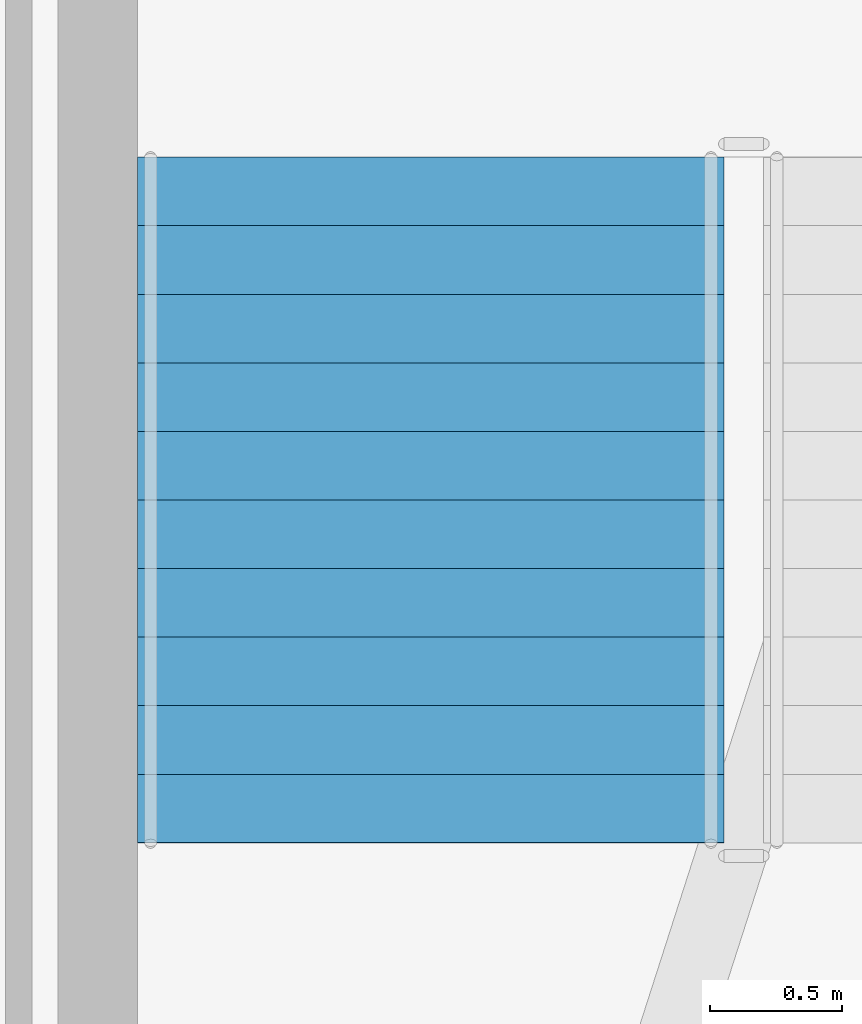
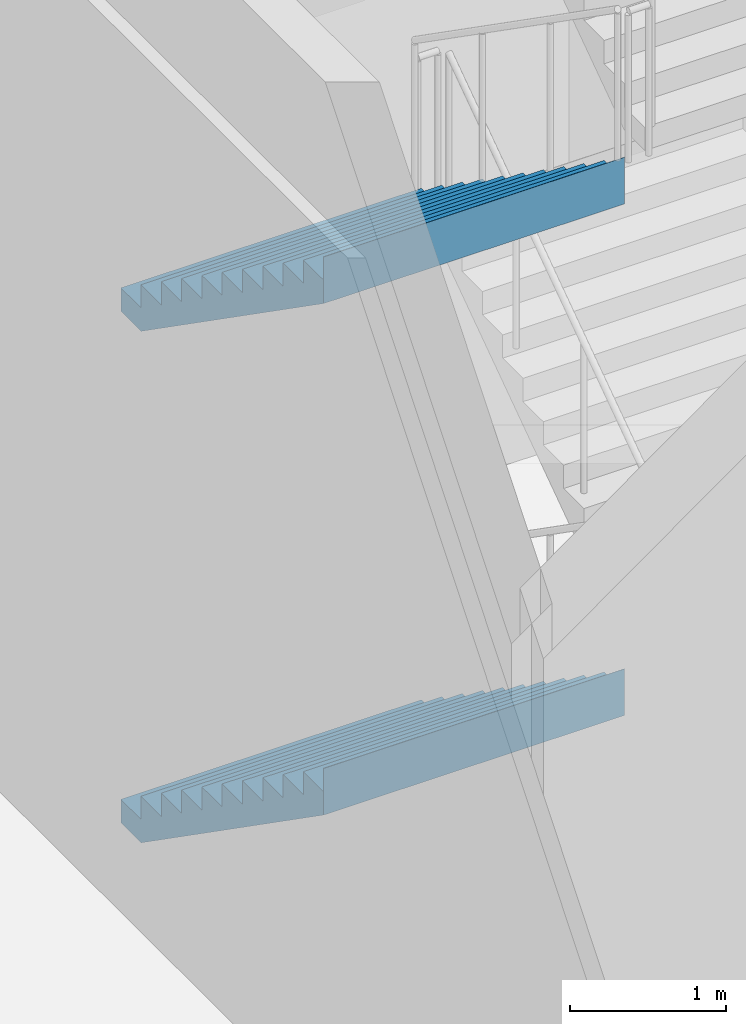
# One storey, part 21 of 36: 2 stair flights, 1 element without a shape of its own.
"""IFC4 building model written with IfcOpenShell, lengths in metres."""

from ifc_helpers import new_model, si_unit, direction, frame, origin, place, context, subcontext, project, spatial, triangles, material, type_object, element, aggregate, save


model = new_model("IFC4")

# Units and contexts
model_context = context("Model", 3, precision=1e-05, world=origin(), true_north=direction((0.0, 1.0)))
body_context = subcontext(model_context, "Body", "Model", "MODEL_VIEW")
ifc_project = project(units=[si_unit("LENGTHUNIT", "METRE"), si_unit("AREAUNIT", "SQUARE_METRE"), si_unit("VOLUMEUNIT", "CUBIC_METRE"), si_unit("PLANEANGLEUNIT", "RADIAN"), si_unit("MASSUNIT", "GRAM", prefix="KILO")], contexts=[model_context])

# Site, building, storey
site_placement = place(None, origin())
site = spatial("IfcSite", under=ifc_project, at=site_placement, CompositionType="ELEMENT")
building_placement = place(site_placement, origin())
building = spatial("IfcBuilding", under=site, at=building_placement, Name="Sahrelin Media Tower", CompositionType="ELEMENT")
storey_placement = place(building_placement, origin())
storey = spatial("IfcBuildingStorey", under=building, at=storey_placement, Name="L00", CompositionType="ELEMENT", Elevation=0.0)

# Stair, stair flights
ifc_material = material(Name="Concrete C40/50", Category="concrete")
stair_type = type_object("IfcStairType", Name="Podium stair 2225", PredefinedType="HALF_TURN_STAIR", material=ifc_material)
stair_placement = place(storey_placement, origin())
stair = element("IfcStair", 1, at=stair_placement, inside=storey, type_object=stair_type, Name="L00 Podium stair PS3", PredefinedType="HALF_TURN_STAIR")
stair_flight_type = type_object("IfcStairFlightType", Name="Stair flight 2225", PredefinedType="STRAIGHT", material=ifc_material)
stair_flight_1_placement = place(storey_placement, frame((-11.83740234375, -30.625, 0.0), z_axis=(0.0, 0.0, 1.0), x_axis=(0.0, -1.0, 0.0)))
stair_flight_1 = element("IfcStairFlight", 2, at=stair_flight_1_placement, type_object=stair_flight_type, Name="PS3 flight 1", NumberOfRisers=11, NumberOfTreads=10, PredefinedType="STRAIGHT", RiserHeight=0.181818182, TreadLength=0.26, context=body_context, shape_type="Tessellation", body=[
    triangles([(0.261474609375, 1.112548828125, 0.0), (0.261474609375, 0.794677734375, 0.0), (0.261474609375, 0.476806640625, 0.0), (0.261474609375, 0.158935546875, 0.0), (0.261474609375, -0.158935546875, 0.0), (0.261474609375, -0.476806640625, 0.0), (0.261474609375, -0.794677734375, 0.0), (0.261474609375, -1.112548828125, 0.0), (2.60009765625, 1.112548828125, 1.63525390625), (2.60009765625, 0.794677734375, 1.63525390625), (2.60009765625, 0.476806640625, 1.63525390625), (2.60009765625, 0.158935546875, 1.63525390625), (2.60009765625, -0.158935546875, 1.63525390625), (2.60009765625, -0.476806640625, 1.63525390625), (2.60009765625, -0.794677734375, 1.63525390625), (2.60009765625, -1.112548828125, 1.63525390625), (2.60009765625, 1.112548828125, 2.0), (2.60009765625, 0.794677734375, 2.0), (2.60009765625, 0.476806640625, 2.0), (2.60009765625, 0.158935546875, 2.0), (2.60009765625, -0.158935546875, 2.0), (2.60009765625, -0.476806640625, 2.0), (2.60009765625, -0.794677734375, 2.0), (2.60009765625, -1.112548828125, 2.0), (2.597900390625, 1.112548828125, 2.0), (2.597900390625, 0.794677734375, 2.0), (2.597900390625, 0.476806640625, 2.0), (2.597900390625, 0.158935546875, 2.0), (2.597900390625, -0.158935546875, 2.0), (2.597900390625, -0.476806640625, 2.0), (2.597900390625, -0.794677734375, 2.0), (2.597900390625, -1.112548828125, 2.0), (2.597900390625, 1.112548828125, 1.818115234375), (2.597900390625, 0.794677734375, 1.818115234375), (2.597900390625, 0.476806640625, 1.818115234375), (2.597900390625, 0.158935546875, 1.818115234375), (2.597900390625, -0.158935546875, 1.818115234375), (2.597900390625, -0.476806640625, 1.818115234375), (2.597900390625, -0.794677734375, 1.818115234375), (2.597900390625, -1.112548828125, 1.818115234375), (2.340087890625, 1.112548828125, 1.818115234375), (2.340087890625, 0.794677734375, 1.818115234375), (2.340087890625, 0.476806640625, 1.818115234375), (2.340087890625, 0.158935546875, 1.818115234375), (2.340087890625, -0.158935546875, 1.818115234375), (2.340087890625, -0.476806640625, 1.818115234375), (2.340087890625, -0.794677734375, 1.818115234375), (2.340087890625, -1.112548828125, 1.818115234375), (2.340087890625, 1.112548828125, 1.636474609375), (2.340087890625, 0.794677734375, 1.636474609375), (2.340087890625, 0.476806640625, 1.636474609375), (2.340087890625, 0.158935546875, 1.636474609375), (2.340087890625, -0.158935546875, 1.636474609375), (2.340087890625, -0.476806640625, 1.636474609375), (2.340087890625, -0.794677734375, 1.636474609375), (2.340087890625, -1.112548828125, 1.636474609375), (2.080078125, 1.112548828125, 1.636474609375), (2.080078125, 0.794677734375, 1.636474609375), (2.080078125, 0.476806640625, 1.636474609375), (2.080078125, 0.158935546875, 1.636474609375), (2.080078125, -0.158935546875, 1.636474609375), (2.080078125, -0.476806640625, 1.636474609375), (2.080078125, -0.794677734375, 1.636474609375), (2.080078125, -1.112548828125, 1.636474609375), (2.080078125, 1.112548828125, 1.45458984375), (2.080078125, 0.794677734375, 1.45458984375), (2.080078125, 0.476806640625, 1.45458984375), (2.080078125, 0.158935546875, 1.45458984375), (2.080078125, -0.158935546875, 1.45458984375), (2.080078125, -0.476806640625, 1.45458984375), (2.080078125, -0.794677734375, 1.45458984375), (2.080078125, -1.112548828125, 1.45458984375), (1.820068359375, 1.112548828125, 1.45458984375), (1.820068359375, 0.794677734375, 1.45458984375), (1.820068359375, 0.476806640625, 1.45458984375), (1.820068359375, 0.158935546875, 1.45458984375), (1.820068359375, -0.158935546875, 1.45458984375), (1.820068359375, -0.476806640625, 1.45458984375), (1.820068359375, -0.794677734375, 1.45458984375), (1.820068359375, -1.112548828125, 1.45458984375), (1.820068359375, 1.112548828125, 1.272705078125), (1.820068359375, 0.794677734375, 1.272705078125), (1.820068359375, 0.476806640625, 1.272705078125), (1.820068359375, 0.158935546875, 1.272705078125), (1.820068359375, -0.158935546875, 1.272705078125), (1.820068359375, -0.476806640625, 1.272705078125), (1.820068359375, -0.794677734375, 1.272705078125), (1.820068359375, -1.112548828125, 1.272705078125), (1.56005859375, 1.112548828125, 1.272705078125), (1.56005859375, 0.794677734375, 1.272705078125), (1.56005859375, 0.476806640625, 1.272705078125), (1.56005859375, 0.158935546875, 1.272705078125), (1.56005859375, -0.158935546875, 1.272705078125), (1.56005859375, -0.476806640625, 1.272705078125), (1.56005859375, -0.794677734375, 1.272705078125), (1.56005859375, -1.112548828125, 1.272705078125), (1.56005859375, 1.112548828125, 1.0908203125), (1.56005859375, 0.794677734375, 1.0908203125), (1.56005859375, 0.476806640625, 1.0908203125), (1.56005859375, 0.158935546875, 1.0908203125), (1.56005859375, -0.158935546875, 1.0908203125), (1.56005859375, -0.476806640625, 1.0908203125), (1.56005859375, -0.794677734375, 1.0908203125), (1.56005859375, -1.112548828125, 1.0908203125), (1.300048828125, 1.112548828125, 1.0908203125), (1.300048828125, 0.794677734375, 1.0908203125), (1.300048828125, 0.476806640625, 1.0908203125), (1.300048828125, 0.158935546875, 1.0908203125), (1.300048828125, -0.158935546875, 1.0908203125), (1.300048828125, -0.476806640625, 1.0908203125), (1.300048828125, -0.794677734375, 1.0908203125), (1.300048828125, -1.112548828125, 1.0908203125), (1.300048828125, 1.112548828125, 0.9091796875), (1.300048828125, 0.794677734375, 0.9091796875), (1.300048828125, 0.476806640625, 0.9091796875), (1.300048828125, 0.158935546875, 0.9091796875), (1.300048828125, -0.158935546875, 0.9091796875), (1.300048828125, -0.476806640625, 0.9091796875), (1.300048828125, -0.794677734375, 0.9091796875), (1.300048828125, -1.112548828125, 0.9091796875), (1.0400390625, 1.112548828125, 0.9091796875), (1.0400390625, 0.794677734375, 0.9091796875), (1.0400390625, 0.476806640625, 0.9091796875), (1.0400390625, 0.158935546875, 0.9091796875), (1.0400390625, -0.158935546875, 0.9091796875), (1.0400390625, -0.476806640625, 0.9091796875), (1.0400390625, -0.794677734375, 0.9091796875), (1.0400390625, -1.112548828125, 0.9091796875), (1.0400390625, 1.112548828125, 0.727294921875), (1.0400390625, 0.794677734375, 0.727294921875), (1.0400390625, 0.476806640625, 0.727294921875), (1.0400390625, 0.158935546875, 0.727294921875), (1.0400390625, -0.158935546875, 0.727294921875), (1.0400390625, -0.476806640625, 0.727294921875), (1.0400390625, -0.794677734375, 0.727294921875), (1.0400390625, -1.112548828125, 0.727294921875), (0.780029296875, 1.112548828125, 0.727294921875), (0.780029296875, 0.794677734375, 0.727294921875), (0.780029296875, 0.476806640625, 0.727294921875), (0.780029296875, 0.158935546875, 0.727294921875), (0.780029296875, -0.158935546875, 0.727294921875), (0.780029296875, -0.476806640625, 0.727294921875), (0.780029296875, -0.794677734375, 0.727294921875), (0.780029296875, -1.112548828125, 0.727294921875), (0.780029296875, 1.112548828125, 0.54541015625), (0.780029296875, 0.794677734375, 0.54541015625), (0.780029296875, 0.476806640625, 0.54541015625), (0.780029296875, 0.158935546875, 0.54541015625), (0.780029296875, -0.158935546875, 0.54541015625), (0.780029296875, -0.476806640625, 0.54541015625), (0.780029296875, -0.794677734375, 0.54541015625), (0.780029296875, -1.112548828125, 0.54541015625), (0.52001953125, 1.112548828125, 0.54541015625), (0.52001953125, 0.794677734375, 0.54541015625), (0.52001953125, 0.476806640625, 0.54541015625), (0.52001953125, 0.158935546875, 0.54541015625), (0.52001953125, -0.158935546875, 0.54541015625), (0.52001953125, -0.476806640625, 0.54541015625), (0.52001953125, -0.794677734375, 0.54541015625), (0.52001953125, -1.112548828125, 0.54541015625), (0.52001953125, 1.112548828125, 0.363525390625), (0.52001953125, 0.794677734375, 0.363525390625), (0.52001953125, 0.476806640625, 0.363525390625), (0.52001953125, 0.158935546875, 0.363525390625), (0.52001953125, -0.158935546875, 0.363525390625), (0.52001953125, -0.476806640625, 0.363525390625), (0.52001953125, -0.794677734375, 0.363525390625), (0.52001953125, -1.112548828125, 0.363525390625), (0.260009765625, 1.112548828125, 0.363525390625), (0.260009765625, 0.794677734375, 0.363525390625), (0.260009765625, 0.476806640625, 0.363525390625), (0.260009765625, 0.158935546875, 0.363525390625), (0.260009765625, -0.158935546875, 0.363525390625), (0.260009765625, -0.476806640625, 0.363525390625), (0.260009765625, -0.794677734375, 0.363525390625), (0.260009765625, -1.112548828125, 0.363525390625), (0.260009765625, 1.112548828125, 0.181884765625), (0.260009765625, 0.794677734375, 0.181884765625), (0.260009765625, 0.476806640625, 0.181884765625), (0.260009765625, 0.158935546875, 0.181884765625), (0.260009765625, -0.158935546875, 0.181884765625), (0.260009765625, -0.476806640625, 0.181884765625), (0.260009765625, -0.794677734375, 0.181884765625), (0.260009765625, -1.112548828125, 0.181884765625), (0.0, 1.112548828125, 0.181884765625), (0.0, 0.794677734375, 0.181884765625), (0.0, 0.476806640625, 0.181884765625), (0.0, 0.158935546875, 0.181884765625), (0.0, -0.158935546875, 0.181884765625), (0.0, -0.476806640625, 0.181884765625), (0.0, -0.794677734375, 0.181884765625), (0.0, -1.112548828125, 0.181884765625), (0.0, 1.112548828125, 0.0), (0.0, 0.794677734375, 0.0), (0.0, 0.476806640625, 0.0), (0.0, 0.158935546875, 0.0), (0.0, -0.158935546875, 0.0), (0.0, -0.476806640625, 0.0), (0.0, -0.794677734375, 0.0), (0.0, -1.112548828125, 0.0)], [[1, 9, 10], [1, 10, 2], [2, 10, 11], [2, 11, 3], [3, 11, 12], [3, 12, 4], [4, 12, 13], [4, 13, 5], [5, 13, 14], [5, 14, 6], [6, 14, 15], [6, 15, 7], [7, 15, 16], [7, 16, 8], [9, 17, 18], [9, 18, 10], [10, 18, 19], [10, 19, 11], [11, 19, 20], [11, 20, 12], [12, 20, 21], [12, 21, 13], [13, 21, 22], [13, 22, 14], [14, 22, 23], [14, 23, 15], [15, 23, 24], [15, 24, 16], [17, 25, 26], [17, 26, 18], [18, 26, 27], [18, 27, 19], [19, 27, 28], [19, 28, 20], [20, 28, 29], [20, 29, 21], [21, 29, 30], [21, 30, 22], [22, 30, 31], [22, 31, 23], [23, 31, 32], [23, 32, 24], [25, 33, 34], [25, 34, 26], [26, 34, 35], [26, 35, 27], [27, 35, 36], [27, 36, 28], [28, 36, 37], [28, 37, 29], [29, 37, 38], [29, 38, 30], [30, 38, 39], [30, 39, 31], [31, 39, 40], [31, 40, 32], [33, 41, 42], [33, 42, 34], [34, 42, 43], [34, 43, 35], [35, 43, 44], [35, 44, 36], [36, 44, 45], [36, 45, 37], [37, 45, 46], [37, 46, 38], [38, 46, 47], [38, 47, 39], [39, 47, 48], [39, 48, 40], [41, 49, 50], [41, 50, 42], [42, 50, 51], [42, 51, 43], [43, 51, 52], [43, 52, 44], [44, 52, 53], [44, 53, 45], [45, 53, 54], [45, 54, 46], [46, 54, 55], [46, 55, 47], [47, 55, 56], [47, 56, 48], [49, 57, 58], [49, 58, 50], [50, 58, 59], [50, 59, 51], [51, 59, 60], [51, 60, 52], [52, 60, 61], [52, 61, 53], [53, 61, 62], [53, 62, 54], [54, 62, 63], [54, 63, 55], [55, 63, 64], [55, 64, 56], [57, 65, 66], [57, 66, 58], [58, 66, 67], [58, 67, 59], [59, 67, 68], [59, 68, 60], [60, 68, 69], [60, 69, 61], [61, 69, 70], [61, 70, 62], [62, 70, 71], [62, 71, 63], [63, 71, 72], [63, 72, 64], [65, 73, 74], [65, 74, 66], [66, 74, 75], [66, 75, 67], [67, 75, 76], [67, 76, 68], [68, 76, 77], [68, 77, 69], [69, 77, 78], [69, 78, 70], [70, 78, 79], [70, 79, 71], [71, 79, 80], [71, 80, 72], [73, 81, 82], [73, 82, 74], [74, 82, 83], [74, 83, 75], [75, 83, 84], [75, 84, 76], [76, 84, 85], [76, 85, 77], [77, 85, 86], [77, 86, 78], [78, 86, 87], [78, 87, 79], [79, 87, 88], [79, 88, 80], [81, 89, 90], [81, 90, 82], [82, 90, 91], [82, 91, 83], [83, 91, 92], [83, 92, 84], [84, 92, 93], [84, 93, 85], [85, 93, 94], [85, 94, 86], [86, 94, 95], [86, 95, 87], [87, 95, 96], [87, 96, 88], [89, 97, 98], [89, 98, 90], [90, 98, 99], [90, 99, 91], [91, 99, 100], [91, 100, 92], [92, 100, 101], [92, 101, 93], [93, 101, 102], [93, 102, 94], [94, 102, 103], [94, 103, 95], [95, 103, 104], [95, 104, 96], [97, 105, 106], [97, 106, 98], [98, 106, 107], [98, 107, 99], [99, 107, 108], [99, 108, 100], [100, 108, 109], [100, 109, 101], [101, 109, 110], [101, 110, 102], [102, 110, 111], [102, 111, 103], [103, 111, 112], [103, 112, 104], [105, 113, 114], [105, 114, 106], [106, 114, 115], [106, 115, 107], [107, 115, 116], [107, 116, 108], [108, 116, 117], [108, 117, 109], [109, 117, 118], [109, 118, 110], [110, 118, 119], [110, 119, 111], [111, 119, 120], [111, 120, 112], [113, 121, 122], [113, 122, 114], [114, 122, 123], [114, 123, 115], [115, 123, 124], [115, 124, 116], [116, 124, 125], [116, 125, 117], [117, 125, 126], [117, 126, 118], [118, 126, 127], [118, 127, 119], [119, 127, 128], [119, 128, 120], [121, 129, 130], [121, 130, 122], [122, 130, 131], [122, 131, 123], [123, 131, 132], [123, 132, 124], [124, 132, 133], [124, 133, 125], [125, 133, 134], [125, 134, 126], [126, 134, 135], [126, 135, 127], [127, 135, 136], [127, 136, 128], [129, 137, 138], [129, 138, 130], [130, 138, 139], [130, 139, 131], [131, 139, 140], [131, 140, 132], [132, 140, 141], [132, 141, 133], [133, 141, 142], [133, 142, 134], [134, 142, 143], [134, 143, 135], [135, 143, 144], [135, 144, 136], [137, 145, 146], [137, 146, 138], [138, 146, 147], [138, 147, 139], [139, 147, 148], [139, 148, 140], [140, 148, 149], [140, 149, 141], [141, 149, 150], [141, 150, 142], [142, 150, 151], [142, 151, 143], [143, 151, 152], [143, 152, 144], [145, 153, 154], [145, 154, 146], [146, 154, 155], [146, 155, 147], [147, 155, 156], [147, 156, 148], [148, 156, 157], [148, 157, 149], [149, 157, 158], [149, 158, 150], [150, 158, 159], [150, 159, 151], [151, 159, 160], [151, 160, 152], [153, 161, 162], [153, 162, 154], [154, 162, 163], [154, 163, 155], [155, 163, 164], [155, 164, 156], [156, 164, 165], [156, 165, 157], [157, 165, 166], [157, 166, 158], [158, 166, 167], [158, 167, 159], [159, 167, 168], [159, 168, 160], [161, 169, 170], [161, 170, 162], [162, 170, 171], [162, 171, 163], [163, 171, 172], [163, 172, 164], [164, 172, 173], [164, 173, 165], [165, 173, 174], [165, 174, 166], [166, 174, 175], [166, 175, 167], [167, 175, 176], [167, 176, 168], [169, 177, 178], [169, 178, 170], [170, 178, 179], [170, 179, 171], [171, 179, 180], [171, 180, 172], [172, 180, 181], [172, 181, 173], [173, 181, 182], [173, 182, 174], [174, 182, 183], [174, 183, 175], [175, 183, 184], [175, 184, 176], [177, 185, 186], [177, 186, 178], [178, 186, 187], [178, 187, 179], [179, 187, 188], [179, 188, 180], [180, 188, 189], [180, 189, 181], [181, 189, 190], [181, 190, 182], [182, 190, 191], [182, 191, 183], [183, 191, 192], [183, 192, 184], [185, 193, 194], [185, 194, 186], [186, 194, 195], [186, 195, 187], [187, 195, 196], [187, 196, 188], [188, 196, 197], [188, 197, 189], [189, 197, 198], [189, 198, 190], [190, 198, 199], [190, 199, 191], [191, 199, 200], [191, 200, 192], [193, 1, 2], [193, 2, 194], [194, 2, 3], [194, 3, 195], [195, 3, 4], [195, 4, 196], [196, 4, 5], [196, 5, 197], [197, 5, 6], [197, 6, 198], [198, 6, 7], [198, 7, 199], [199, 7, 8], [199, 8, 200], [184, 192, 200], [177, 193, 185], [184, 168, 176], [177, 169, 161], [168, 152, 160], [161, 153, 145], [152, 136, 144], [145, 137, 129], [136, 120, 128], [129, 121, 113], [120, 104, 112], [113, 105, 97], [104, 88, 96], [97, 89, 81], [88, 72, 80], [81, 73, 65], [72, 56, 64], [65, 57, 49], [56, 40, 48], [49, 41, 33], [40, 24, 32], [33, 25, 17], [200, 8, 184], [193, 177, 1], [40, 16, 24], [33, 17, 9], [168, 184, 8], [161, 1, 177], [56, 16, 40], [49, 33, 9], [152, 168, 8], [145, 1, 161], [72, 16, 56], [65, 49, 9], [136, 152, 8], [129, 1, 145], [88, 16, 72], [81, 65, 9], [120, 136, 8], [113, 1, 129], [104, 16, 88], [97, 81, 9], [8, 16, 120], [1, 113, 9], [120, 16, 104], [113, 97, 9]], closed=True),
])
stair_flight_2_placement = place(storey_placement, frame((-11.83740234375, -30.625, 4.0), z_axis=(0.0, 0.0, 1.0), x_axis=(0.0, -1.0, 0.0)))
stair_flight_2 = element("IfcStairFlight", 3, at=stair_flight_2_placement, type_object=stair_flight_type, Name="PS3 flight 3", NumberOfRisers=11, NumberOfTreads=10, PredefinedType="STRAIGHT", RiserHeight=0.181818182, TreadLength=0.26, context=body_context, shape_type="Tessellation", body=[
    triangles([(0.261474609375, 1.112548828125, 0.0), (0.261474609375, 0.794677734375, 0.0), (0.261474609375, 0.476806640625, 0.0), (0.261474609375, 0.158935546875, 0.0), (0.261474609375, -0.158935546875, 0.0), (0.261474609375, -0.476806640625, 0.0), (0.261474609375, -0.794677734375, 0.0), (0.261474609375, -1.112548828125, 0.0), (2.60009765625, 1.112548828125, 1.63525390625), (2.60009765625, 0.794677734375, 1.63525390625), (2.60009765625, 0.476806640625, 1.63525390625), (2.60009765625, 0.158935546875, 1.63525390625), (2.60009765625, -0.158935546875, 1.63525390625), (2.60009765625, -0.476806640625, 1.63525390625), (2.60009765625, -0.794677734375, 1.63525390625), (2.60009765625, -1.112548828125, 1.63525390625), (2.60009765625, 1.112548828125, 2.0), (2.60009765625, 0.794677734375, 2.0), (2.60009765625, 0.476806640625, 2.0), (2.60009765625, 0.158935546875, 2.0), (2.60009765625, -0.158935546875, 2.0), (2.60009765625, -0.476806640625, 2.0), (2.60009765625, -0.794677734375, 2.0), (2.60009765625, -1.112548828125, 2.0), (2.597900390625, 1.112548828125, 2.0), (2.597900390625, 0.794677734375, 2.0), (2.597900390625, 0.476806640625, 2.0), (2.597900390625, 0.158935546875, 2.0), (2.597900390625, -0.158935546875, 2.0), (2.597900390625, -0.476806640625, 2.0), (2.597900390625, -0.794677734375, 2.0), (2.597900390625, -1.112548828125, 2.0), (2.597900390625, 1.112548828125, 1.818115234375), (2.597900390625, 0.794677734375, 1.818115234375), (2.597900390625, 0.476806640625, 1.818115234375), (2.597900390625, 0.158935546875, 1.818115234375), (2.597900390625, -0.158935546875, 1.818115234375), (2.597900390625, -0.476806640625, 1.818115234375), (2.597900390625, -0.794677734375, 1.818115234375), (2.597900390625, -1.112548828125, 1.818115234375), (2.340087890625, 1.112548828125, 1.818115234375), (2.340087890625, 0.794677734375, 1.818115234375), (2.340087890625, 0.476806640625, 1.818115234375), (2.340087890625, 0.158935546875, 1.818115234375), (2.340087890625, -0.158935546875, 1.818115234375), (2.340087890625, -0.476806640625, 1.818115234375), (2.340087890625, -0.794677734375, 1.818115234375), (2.340087890625, -1.112548828125, 1.818115234375), (2.340087890625, 1.112548828125, 1.636474609375), (2.340087890625, 0.794677734375, 1.636474609375), (2.340087890625, 0.476806640625, 1.636474609375), (2.340087890625, 0.158935546875, 1.636474609375), (2.340087890625, -0.158935546875, 1.636474609375), (2.340087890625, -0.476806640625, 1.636474609375), (2.340087890625, -0.794677734375, 1.636474609375), (2.340087890625, -1.112548828125, 1.636474609375), (2.080078125, 1.112548828125, 1.636474609375), (2.080078125, 0.794677734375, 1.636474609375), (2.080078125, 0.476806640625, 1.636474609375), (2.080078125, 0.158935546875, 1.636474609375), (2.080078125, -0.158935546875, 1.636474609375), (2.080078125, -0.476806640625, 1.636474609375), (2.080078125, -0.794677734375, 1.636474609375), (2.080078125, -1.112548828125, 1.636474609375), (2.080078125, 1.112548828125, 1.45458984375), (2.080078125, 0.794677734375, 1.45458984375), (2.080078125, 0.476806640625, 1.45458984375), (2.080078125, 0.158935546875, 1.45458984375), (2.080078125, -0.158935546875, 1.45458984375), (2.080078125, -0.476806640625, 1.45458984375), (2.080078125, -0.794677734375, 1.45458984375), (2.080078125, -1.112548828125, 1.45458984375), (1.820068359375, 1.112548828125, 1.45458984375), (1.820068359375, 0.794677734375, 1.45458984375), (1.820068359375, 0.476806640625, 1.45458984375), (1.820068359375, 0.158935546875, 1.45458984375), (1.820068359375, -0.158935546875, 1.45458984375), (1.820068359375, -0.476806640625, 1.45458984375), (1.820068359375, -0.794677734375, 1.45458984375), (1.820068359375, -1.112548828125, 1.45458984375), (1.820068359375, 1.112548828125, 1.272705078125), (1.820068359375, 0.794677734375, 1.272705078125), (1.820068359375, 0.476806640625, 1.272705078125), (1.820068359375, 0.158935546875, 1.272705078125), (1.820068359375, -0.158935546875, 1.272705078125), (1.820068359375, -0.476806640625, 1.272705078125), (1.820068359375, -0.794677734375, 1.272705078125), (1.820068359375, -1.112548828125, 1.272705078125), (1.56005859375, 1.112548828125, 1.272705078125), (1.56005859375, 0.794677734375, 1.272705078125), (1.56005859375, 0.476806640625, 1.272705078125), (1.56005859375, 0.158935546875, 1.272705078125), (1.56005859375, -0.158935546875, 1.272705078125), (1.56005859375, -0.476806640625, 1.272705078125), (1.56005859375, -0.794677734375, 1.272705078125), (1.56005859375, -1.112548828125, 1.272705078125), (1.56005859375, 1.112548828125, 1.0908203125), (1.56005859375, 0.794677734375, 1.0908203125), (1.56005859375, 0.476806640625, 1.0908203125), (1.56005859375, 0.158935546875, 1.0908203125), (1.56005859375, -0.158935546875, 1.0908203125), (1.56005859375, -0.476806640625, 1.0908203125), (1.56005859375, -0.794677734375, 1.0908203125), (1.56005859375, -1.112548828125, 1.0908203125), (1.300048828125, 1.112548828125, 1.0908203125), (1.300048828125, 0.794677734375, 1.0908203125), (1.300048828125, 0.476806640625, 1.0908203125), (1.300048828125, 0.158935546875, 1.0908203125), (1.300048828125, -0.158935546875, 1.0908203125), (1.300048828125, -0.476806640625, 1.0908203125), (1.300048828125, -0.794677734375, 1.0908203125), (1.300048828125, -1.112548828125, 1.0908203125), (1.300048828125, 1.112548828125, 0.9091796875), (1.300048828125, 0.794677734375, 0.9091796875), (1.300048828125, 0.476806640625, 0.9091796875), (1.300048828125, 0.158935546875, 0.9091796875), (1.300048828125, -0.158935546875, 0.9091796875), (1.300048828125, -0.476806640625, 0.9091796875), (1.300048828125, -0.794677734375, 0.9091796875), (1.300048828125, -1.112548828125, 0.9091796875), (1.0400390625, 1.112548828125, 0.9091796875), (1.0400390625, 0.794677734375, 0.9091796875), (1.0400390625, 0.476806640625, 0.9091796875), (1.0400390625, 0.158935546875, 0.9091796875), (1.0400390625, -0.158935546875, 0.9091796875), (1.0400390625, -0.476806640625, 0.9091796875), (1.0400390625, -0.794677734375, 0.9091796875), (1.0400390625, -1.112548828125, 0.9091796875), (1.0400390625, 1.112548828125, 0.727294921875), (1.0400390625, 0.794677734375, 0.727294921875), (1.0400390625, 0.476806640625, 0.727294921875), (1.0400390625, 0.158935546875, 0.727294921875), (1.0400390625, -0.158935546875, 0.727294921875), (1.0400390625, -0.476806640625, 0.727294921875), (1.0400390625, -0.794677734375, 0.727294921875), (1.0400390625, -1.112548828125, 0.727294921875), (0.780029296875, 1.112548828125, 0.727294921875), (0.780029296875, 0.794677734375, 0.727294921875), (0.780029296875, 0.476806640625, 0.727294921875), (0.780029296875, 0.158935546875, 0.727294921875), (0.780029296875, -0.158935546875, 0.727294921875), (0.780029296875, -0.476806640625, 0.727294921875), (0.780029296875, -0.794677734375, 0.727294921875), (0.780029296875, -1.112548828125, 0.727294921875), (0.780029296875, 1.112548828125, 0.54541015625), (0.780029296875, 0.794677734375, 0.54541015625), (0.780029296875, 0.476806640625, 0.54541015625), (0.780029296875, 0.158935546875, 0.54541015625), (0.780029296875, -0.158935546875, 0.54541015625), (0.780029296875, -0.476806640625, 0.54541015625), (0.780029296875, -0.794677734375, 0.54541015625), (0.780029296875, -1.112548828125, 0.54541015625), (0.52001953125, 1.112548828125, 0.54541015625), (0.52001953125, 0.794677734375, 0.54541015625), (0.52001953125, 0.476806640625, 0.54541015625), (0.52001953125, 0.158935546875, 0.54541015625), (0.52001953125, -0.158935546875, 0.54541015625), (0.52001953125, -0.476806640625, 0.54541015625), (0.52001953125, -0.794677734375, 0.54541015625), (0.52001953125, -1.112548828125, 0.54541015625), (0.52001953125, 1.112548828125, 0.363525390625), (0.52001953125, 0.794677734375, 0.363525390625), (0.52001953125, 0.476806640625, 0.363525390625), (0.52001953125, 0.158935546875, 0.363525390625), (0.52001953125, -0.158935546875, 0.363525390625), (0.52001953125, -0.476806640625, 0.363525390625), (0.52001953125, -0.794677734375, 0.363525390625), (0.52001953125, -1.112548828125, 0.363525390625), (0.260009765625, 1.112548828125, 0.363525390625), (0.260009765625, 0.794677734375, 0.363525390625), (0.260009765625, 0.476806640625, 0.363525390625), (0.260009765625, 0.158935546875, 0.363525390625), (0.260009765625, -0.158935546875, 0.363525390625), (0.260009765625, -0.476806640625, 0.363525390625), (0.260009765625, -0.794677734375, 0.363525390625), (0.260009765625, -1.112548828125, 0.363525390625), (0.260009765625, 1.112548828125, 0.181884765625), (0.260009765625, 0.794677734375, 0.181884765625), (0.260009765625, 0.476806640625, 0.181884765625), (0.260009765625, 0.158935546875, 0.181884765625), (0.260009765625, -0.158935546875, 0.181884765625), (0.260009765625, -0.476806640625, 0.181884765625), (0.260009765625, -0.794677734375, 0.181884765625), (0.260009765625, -1.112548828125, 0.181884765625), (0.0, 1.112548828125, 0.181884765625), (0.0, 0.794677734375, 0.181884765625), (0.0, 0.476806640625, 0.181884765625), (0.0, 0.158935546875, 0.181884765625), (0.0, -0.158935546875, 0.181884765625), (0.0, -0.476806640625, 0.181884765625), (0.0, -0.794677734375, 0.181884765625), (0.0, -1.112548828125, 0.181884765625), (0.0, 1.112548828125, 0.0), (0.0, 0.794677734375, 0.0), (0.0, 0.476806640625, 0.0), (0.0, 0.158935546875, 0.0), (0.0, -0.158935546875, 0.0), (0.0, -0.476806640625, 0.0), (0.0, -0.794677734375, 0.0), (0.0, -1.112548828125, 0.0)], [[1, 9, 10], [1, 10, 2], [2, 10, 11], [2, 11, 3], [3, 11, 12], [3, 12, 4], [4, 12, 13], [4, 13, 5], [5, 13, 14], [5, 14, 6], [6, 14, 15], [6, 15, 7], [7, 15, 16], [7, 16, 8], [9, 17, 18], [9, 18, 10], [10, 18, 19], [10, 19, 11], [11, 19, 20], [11, 20, 12], [12, 20, 21], [12, 21, 13], [13, 21, 22], [13, 22, 14], [14, 22, 23], [14, 23, 15], [15, 23, 24], [15, 24, 16], [17, 25, 26], [17, 26, 18], [18, 26, 27], [18, 27, 19], [19, 27, 28], [19, 28, 20], [20, 28, 29], [20, 29, 21], [21, 29, 30], [21, 30, 22], [22, 30, 31], [22, 31, 23], [23, 31, 32], [23, 32, 24], [25, 33, 34], [25, 34, 26], [26, 34, 35], [26, 35, 27], [27, 35, 36], [27, 36, 28], [28, 36, 37], [28, 37, 29], [29, 37, 38], [29, 38, 30], [30, 38, 39], [30, 39, 31], [31, 39, 40], [31, 40, 32], [33, 41, 42], [33, 42, 34], [34, 42, 43], [34, 43, 35], [35, 43, 44], [35, 44, 36], [36, 44, 45], [36, 45, 37], [37, 45, 46], [37, 46, 38], [38, 46, 47], [38, 47, 39], [39, 47, 48], [39, 48, 40], [41, 49, 50], [41, 50, 42], [42, 50, 51], [42, 51, 43], [43, 51, 52], [43, 52, 44], [44, 52, 53], [44, 53, 45], [45, 53, 54], [45, 54, 46], [46, 54, 55], [46, 55, 47], [47, 55, 56], [47, 56, 48], [49, 57, 58], [49, 58, 50], [50, 58, 59], [50, 59, 51], [51, 59, 60], [51, 60, 52], [52, 60, 61], [52, 61, 53], [53, 61, 62], [53, 62, 54], [54, 62, 63], [54, 63, 55], [55, 63, 64], [55, 64, 56], [57, 65, 66], [57, 66, 58], [58, 66, 67], [58, 67, 59], [59, 67, 68], [59, 68, 60], [60, 68, 69], [60, 69, 61], [61, 69, 70], [61, 70, 62], [62, 70, 71], [62, 71, 63], [63, 71, 72], [63, 72, 64], [65, 73, 74], [65, 74, 66], [66, 74, 75], [66, 75, 67], [67, 75, 76], [67, 76, 68], [68, 76, 77], [68, 77, 69], [69, 77, 78], [69, 78, 70], [70, 78, 79], [70, 79, 71], [71, 79, 80], [71, 80, 72], [73, 81, 82], [73, 82, 74], [74, 82, 83], [74, 83, 75], [75, 83, 84], [75, 84, 76], [76, 84, 85], [76, 85, 77], [77, 85, 86], [77, 86, 78], [78, 86, 87], [78, 87, 79], [79, 87, 88], [79, 88, 80], [81, 89, 90], [81, 90, 82], [82, 90, 91], [82, 91, 83], [83, 91, 92], [83, 92, 84], [84, 92, 93], [84, 93, 85], [85, 93, 94], [85, 94, 86], [86, 94, 95], [86, 95, 87], [87, 95, 96], [87, 96, 88], [89, 97, 98], [89, 98, 90], [90, 98, 99], [90, 99, 91], [91, 99, 100], [91, 100, 92], [92, 100, 101], [92, 101, 93], [93, 101, 102], [93, 102, 94], [94, 102, 103], [94, 103, 95], [95, 103, 104], [95, 104, 96], [97, 105, 106], [97, 106, 98], [98, 106, 107], [98, 107, 99], [99, 107, 108], [99, 108, 100], [100, 108, 109], [100, 109, 101], [101, 109, 110], [101, 110, 102], [102, 110, 111], [102, 111, 103], [103, 111, 112], [103, 112, 104], [105, 113, 114], [105, 114, 106], [106, 114, 115], [106, 115, 107], [107, 115, 116], [107, 116, 108], [108, 116, 117], [108, 117, 109], [109, 117, 118], [109, 118, 110], [110, 118, 119], [110, 119, 111], [111, 119, 120], [111, 120, 112], [113, 121, 122], [113, 122, 114], [114, 122, 123], [114, 123, 115], [115, 123, 124], [115, 124, 116], [116, 124, 125], [116, 125, 117], [117, 125, 126], [117, 126, 118], [118, 126, 127], [118, 127, 119], [119, 127, 128], [119, 128, 120], [121, 129, 130], [121, 130, 122], [122, 130, 131], [122, 131, 123], [123, 131, 132], [123, 132, 124], [124, 132, 133], [124, 133, 125], [125, 133, 134], [125, 134, 126], [126, 134, 135], [126, 135, 127], [127, 135, 136], [127, 136, 128], [129, 137, 138], [129, 138, 130], [130, 138, 139], [130, 139, 131], [131, 139, 140], [131, 140, 132], [132, 140, 141], [132, 141, 133], [133, 141, 142], [133, 142, 134], [134, 142, 143], [134, 143, 135], [135, 143, 144], [135, 144, 136], [137, 145, 146], [137, 146, 138], [138, 146, 147], [138, 147, 139], [139, 147, 148], [139, 148, 140], [140, 148, 149], [140, 149, 141], [141, 149, 150], [141, 150, 142], [142, 150, 151], [142, 151, 143], [143, 151, 152], [143, 152, 144], [145, 153, 154], [145, 154, 146], [146, 154, 155], [146, 155, 147], [147, 155, 156], [147, 156, 148], [148, 156, 157], [148, 157, 149], [149, 157, 158], [149, 158, 150], [150, 158, 159], [150, 159, 151], [151, 159, 160], [151, 160, 152], [153, 161, 162], [153, 162, 154], [154, 162, 163], [154, 163, 155], [155, 163, 164], [155, 164, 156], [156, 164, 165], [156, 165, 157], [157, 165, 166], [157, 166, 158], [158, 166, 167], [158, 167, 159], [159, 167, 168], [159, 168, 160], [161, 169, 170], [161, 170, 162], [162, 170, 171], [162, 171, 163], [163, 171, 172], [163, 172, 164], [164, 172, 173], [164, 173, 165], [165, 173, 174], [165, 174, 166], [166, 174, 175], [166, 175, 167], [167, 175, 176], [167, 176, 168], [169, 177, 178], [169, 178, 170], [170, 178, 179], [170, 179, 171], [171, 179, 180], [171, 180, 172], [172, 180, 181], [172, 181, 173], [173, 181, 182], [173, 182, 174], [174, 182, 183], [174, 183, 175], [175, 183, 184], [175, 184, 176], [177, 185, 186], [177, 186, 178], [178, 186, 187], [178, 187, 179], [179, 187, 188], [179, 188, 180], [180, 188, 189], [180, 189, 181], [181, 189, 190], [181, 190, 182], [182, 190, 191], [182, 191, 183], [183, 191, 192], [183, 192, 184], [185, 193, 194], [185, 194, 186], [186, 194, 195], [186, 195, 187], [187, 195, 196], [187, 196, 188], [188, 196, 197], [188, 197, 189], [189, 197, 198], [189, 198, 190], [190, 198, 199], [190, 199, 191], [191, 199, 200], [191, 200, 192], [193, 1, 2], [193, 2, 194], [194, 2, 3], [194, 3, 195], [195, 3, 4], [195, 4, 196], [196, 4, 5], [196, 5, 197], [197, 5, 6], [197, 6, 198], [198, 6, 7], [198, 7, 199], [199, 7, 8], [199, 8, 200], [184, 192, 200], [177, 193, 185], [184, 168, 176], [177, 169, 161], [168, 152, 160], [161, 153, 145], [152, 136, 144], [145, 137, 129], [136, 120, 128], [129, 121, 113], [120, 104, 112], [113, 105, 97], [104, 88, 96], [97, 89, 81], [88, 72, 80], [81, 73, 65], [72, 56, 64], [65, 57, 49], [56, 40, 48], [49, 41, 33], [40, 24, 32], [33, 25, 17], [200, 8, 184], [193, 177, 1], [40, 16, 24], [33, 17, 9], [168, 184, 8], [161, 1, 177], [56, 16, 40], [49, 33, 9], [152, 168, 8], [145, 1, 161], [72, 16, 56], [65, 49, 9], [136, 152, 8], [129, 1, 145], [88, 16, 72], [81, 65, 9], [120, 136, 8], [113, 1, 129], [104, 16, 88], [97, 81, 9], [8, 16, 120], [1, 113, 9], [120, 16, 104], [113, 97, 9]], closed=True),
])
aggregate(stair, [stair_flight_1, stair_flight_2])

save(model, "model.ifc")
